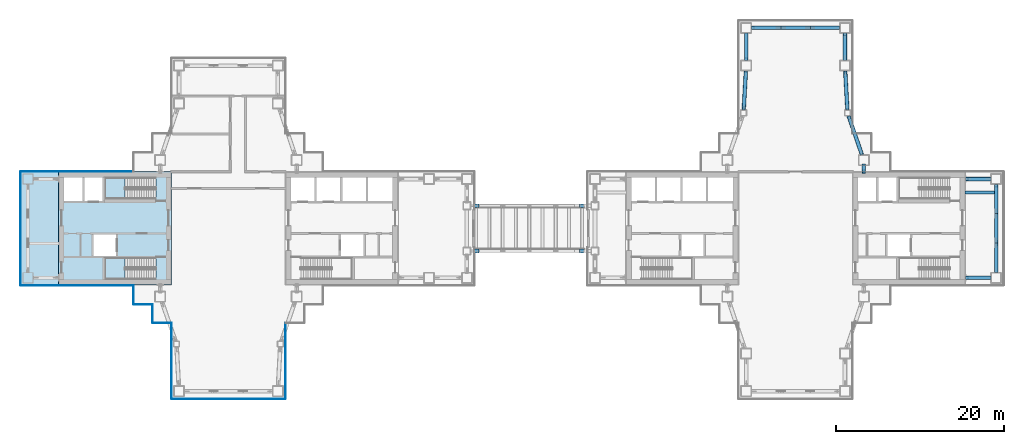
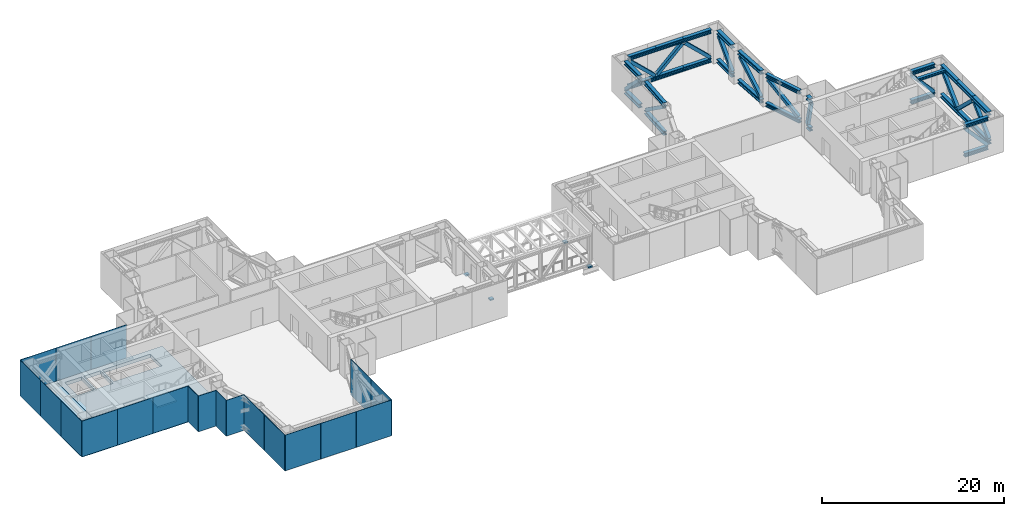
# One storey, part 7 of 21: 46 members, 20 plates, 4 slabs, 1 beam, 11 elements without a shape of their own.
"""IFC4 building model written with IfcOpenShell, lengths in metres."""

from ifc_helpers import new_model, si_unit, direction, frame, origin, origin_2d, place, context, subcontext, project, spatial, polyline, rectangle, hollow_rectangle, i_section, outline, extrude, material, layer, layer_set, material_profile, profile_set, type_object, element, aggregate, save


model = new_model("IFC4")

# Units and contexts
model_context = context("Model", 3, precision=1e-05, world=origin(), true_north=direction((0.0, 1.0)))
body_context = subcontext(model_context, "Body", "Model", "MODEL_VIEW")
ifc_project = project(units=[si_unit("LENGTHUNIT", "METRE"), si_unit("AREAUNIT", "SQUARE_METRE"), si_unit("VOLUMEUNIT", "CUBIC_METRE"), si_unit("PLANEANGLEUNIT", "RADIAN"), si_unit("MASSUNIT", "GRAM", prefix="KILO")], contexts=[model_context])

# Site, building, storey
site_placement = place(None, origin())
site = spatial("IfcSite", under=ifc_project, at=site_placement, CompositionType="ELEMENT")
building_placement = place(site_placement, origin())
building = spatial("IfcBuilding", under=site, at=building_placement, Name="Shamsa Quay Exchange Towers", CompositionType="ELEMENT")
storey_placement = place(building_placement, frame((0.0, 0.0, 128.699951171875)))
storey = spatial("IfcBuildingStorey", under=building, at=storey_placement, Name="L30", CompositionType="ELEMENT", Elevation=128.699951171875)

# Members
ifc_material_1 = material(Name="Steel S355", Category="steel")
ifc_material_profile_1 = material_profile(ifc_material_1, i_section(OverallWidth=0.4423828125, OverallDepth=0.531494140625, WebThickness=0.06591796875, FlangeThickness=0.105712890625, at=origin_2d()), Name="W14x605")
ifc_profile_set_1 = profile_set([ifc_material_profile_1], Name="Steel S355")
member_type_1 = type_object("IfcMemberType", Name="Belt chord W14x605", PredefinedType="CHORD", material=ifc_profile_set_1)
for number, where, z_axis, x_axis, name in (
    (1, (57.625, -5.25, 4.13427734375), (0.0, 1.0, 0.0), (-1.0, 0.0, 0.0), "Belt truss chord T2 L30 10"),
    (2, (57.625, -5.25, 0.265869140625), (0.0, 1.0, 0.0), (-1.0, 0.0, 0.0), "Belt truss chord T2 L30 10"),
    (3, (57.625, -1.75, 4.13427734375), (0.0, 1.0, 0.0), (-1.0, 0.0, 0.0), "Belt truss chord T2 L30 10"),
    (4, (57.625, -1.75, 0.265869140625), (0.0, 1.0, 0.0), (-1.0, 0.0, 0.0), "Belt truss chord T2 L30 10"),
    (5, (57.625, 1.75, 4.13427734375), (0.0, 1.0, 0.0), (-1.0, 0.0, 0.0), "Belt truss chord T2 L30 10"),
    (6, (57.625, 1.75, 0.265869140625), (0.0, 1.0, 0.0), (-1.0, 0.0, 0.0), "Belt truss chord T2 L30 10"),
):
    element("IfcMember", number, at=place(storey_placement, frame(where, z_axis=z_axis, x_axis=x_axis)), inside=storey, type_object=member_type_1, Name=name, PredefinedType="CHORD", context=body_context, shape_type="SweptSolid", body=[
        extrude(i_section(OverallWidth=0.4423828125, OverallDepth=0.531494140625, WebThickness=0.06591796875, FlangeThickness=0.105712890625, at=origin_2d()), origin(), (0.0, 0.0, 1.0), 3.5),
    ])
for number, where, z_axis, x_axis, name in (
    (7, (41.65966796875, 8.75, 4.13427734375), (-0.325654086192, 0.945488982562, 0.0), (-0.945488982562, -0.325654086192, 0.0), "Belt truss chord T2 L30 13"),
    (8, (41.65966796875, 8.75, 0.265869140625), (-0.325654086192, 0.945488982562, 0.0), (-0.945488982562, -0.325654086192, 0.0), "Belt truss chord T2 L30 13"),
):
    element("IfcMember", number, at=place(storey_placement, frame(where, z_axis=z_axis, x_axis=x_axis)), inside=storey, type_object=member_type_1, Name=name, PredefinedType="CHORD", context=body_context, shape_type="SweptSolid", body=[
        extrude(i_section(OverallWidth=0.4423828125, OverallDepth=0.531494140625, WebThickness=0.06591796875, FlangeThickness=0.105712890625, at=origin_2d()), origin(), (0.0, 0.0, 1.0), 4.91796875),
    ])
for number, where, z_axis, x_axis, name in (
    (9, (39.91796875, 14.10009765625, 4.13427734375), (-0.055464212695, 0.998460675796, 0.0), (-0.998460675796, -0.055464212695, 0.0), "Belt truss chord T2 L30 14"),
    (10, (39.91796875, 14.10009765625, 0.265869140625), (-0.055464212695, 0.998460675796, 0.0), (-0.998460675796, -0.055464212695, 0.0), "Belt truss chord T2 L30 14"),
):
    element("IfcMember", number, at=place(storey_placement, frame(where, z_axis=z_axis, x_axis=x_axis)), inside=storey, type_object=member_type_1, Name=name, PredefinedType="CHORD", context=body_context, shape_type="SweptSolid", body=[
        extrude(i_section(OverallWidth=0.4423828125, OverallDepth=0.531494140625, WebThickness=0.06591796875, FlangeThickness=0.105712890625, at=origin_2d()), origin(), (0.0, 0.0, 1.0), 4.656982421875),
    ])
for number, where, z_axis, x_axis, name in (
    (11, (39.625, 20.0, 4.13427734375), (0.0, 1.0, 0.0), (-1.0, 0.0, 0.0), "Belt truss chord T2 L30 15"),
    (12, (39.625, 20.0, 0.265869140625), (0.0, 1.0, 0.0), (-1.0, 0.0, 0.0), "Belt truss chord T2 L30 15"),
):
    element("IfcMember", number, at=place(storey_placement, frame(where, z_axis=z_axis, x_axis=x_axis)), inside=storey, type_object=member_type_1, Name=name, PredefinedType="CHORD", context=body_context, shape_type="SweptSolid", body=[
        extrude(i_section(OverallWidth=0.4423828125, OverallDepth=0.531494140625, WebThickness=0.06591796875, FlangeThickness=0.105712890625, at=origin_2d()), origin(), (0.0, 0.0, 1.0), 3.25),
    ])
for number, where, z_axis, x_axis, name in (
    (13, (39.0, 23.875, 4.13427734375), (-1.0, 0.0, 0.0), (0.0, -1.0, 0.0), "Belt truss chord T2 L30 16"),
    (14, (39.0, 23.875, 0.265869140625), (-1.0, 0.0, 0.0), (0.0, -1.0, 0.0), "Belt truss chord T2 L30 16"),
    (15, (35.5, 23.875, 4.13427734375), (-1.0, 0.0, 0.0), (0.0, -1.0, 0.0), "Belt truss chord T2 L30 16"),
    (16, (35.5, 23.875, 0.265869140625), (-1.0, 0.0, 0.0), (0.0, -1.0, 0.0), "Belt truss chord T2 L30 16"),
    (17, (32.0, 23.875, 4.13427734375), (-1.0, 0.0, 0.0), (0.0, -1.0, 0.0), "Belt truss chord T2 L30 16"),
    (18, (32.0, 23.875, 0.265869140625), (-1.0, 0.0, 0.0), (0.0, -1.0, 0.0), "Belt truss chord T2 L30 16"),
):
    element("IfcMember", number, at=place(storey_placement, frame(where, z_axis=z_axis, x_axis=x_axis)), inside=storey, type_object=member_type_1, Name=name, PredefinedType="CHORD", context=body_context, shape_type="SweptSolid", body=[
        extrude(i_section(OverallWidth=0.4423828125, OverallDepth=0.531494140625, WebThickness=0.06591796875, FlangeThickness=0.105712890625, at=origin_2d()), origin(), (0.0, 0.0, 1.0), 3.5),
    ])
for number, where, z_axis, x_axis, name in (
    (19, (27.875, 23.25, 4.13427734375), (0.0, -1.0, 0.0), (1.0, 0.0, 0.0), "Belt truss chord T2 L30 17"),
    (20, (27.875, 23.25, 0.265869140625), (0.0, -1.0, 0.0), (1.0, 0.0, 0.0), "Belt truss chord T2 L30 17"),
):
    element("IfcMember", number, at=place(storey_placement, frame(where, z_axis=z_axis, x_axis=x_axis)), inside=storey, type_object=member_type_1, Name=name, PredefinedType="CHORD", context=body_context, shape_type="SweptSolid", body=[
        extrude(i_section(OverallWidth=0.4423828125, OverallDepth=0.531494140625, WebThickness=0.06591796875, FlangeThickness=0.105712890625, at=origin_2d()), origin(), (0.0, 0.0, 1.0), 3.25),
    ])
for number, where, z_axis, x_axis, name in (
    (21, (27.84033203125, 18.75, 4.13427734375), (-0.055464212695, -0.998460675796, 0.0), (0.998460675796, -0.055464212695, 0.0), "Belt truss chord T2 L30 18"),
    (22, (27.84033203125, 18.75, 0.265869140625), (-0.055464212695, -0.998460675796, 0.0), (0.998460675796, -0.055464212695, 0.0), "Belt truss chord T2 L30 18"),
):
    element("IfcMember", number, at=place(storey_placement, frame(where, z_axis=z_axis, x_axis=x_axis)), inside=storey, type_object=member_type_1, Name=name, PredefinedType="CHORD", context=body_context, shape_type="SweptSolid", body=[
        extrude(i_section(OverallWidth=0.4423828125, OverallDepth=0.531494140625, WebThickness=0.06591796875, FlangeThickness=0.105712890625, at=origin_2d()), origin(), (0.0, 0.0, 1.0), 4.656982421875),
    ])
ifc_material_profile_2 = material_profile(ifc_material_1, hollow_rectangle(XDim=0.406494140625, YDim=0.406494140625, WallThickness=0.01904296875, at=origin_2d()), Name="HSS16x16x3/4")
ifc_profile_set_2 = profile_set([ifc_material_profile_2], Name="Steel S355")
member_type_2 = type_object("IfcMemberType", Name="Belt diagonal HSS16x16x3/4", PredefinedType="BRACE", material=ifc_profile_set_2)
for number, where, z_axis, x_axis, name in (
    (23, (57.625, -5.095703125, 0.678466796875), (0.0, 0.723709894071, 0.690104332129), (-1.0, 0.0, 0.0), "Belt truss diagonal T2 L30 10"),
    (24, (57.625, 1.595703125, 0.678466796875), (0.0, -0.723709894071, 0.690104332129), (1.0, 0.0, 0.0), "Belt truss diagonal T2 L30 10"),
    (25, (57.625, 1.904296875, 0.678466796875), (0.0, 0.723709894071, 0.690104332129), (-1.0, 0.0, 0.0), "Belt truss diagonal T2 L30 10"),
):
    element("IfcMember", number, at=place(storey_placement, frame(where, z_axis=z_axis, x_axis=x_axis)), inside=storey, type_object=member_type_2, Name=name, PredefinedType="BRACE", context=body_context, shape_type="SweptSolid", body=[
        extrude(hollow_rectangle(XDim=0.406494140625, YDim=0.406494140625, WallThickness=0.01904296875, at=origin_2d()), origin(), (0.0, 0.0, 1.0), 4.40966796875),
    ])
member_1_placement = place(storey_placement, frame((41.5791015625, 8.984375, 0.69970703125), z_axis=(-0.269518016757, 0.782378825932, 0.561465414231), x_axis=(-0.945472667652, -0.325701450292, 0.0)))
element("IfcMember", 26, at=member_1_placement, inside=storey, type_object=member_type_2, Name="Belt truss diagonal T2 L30 13", PredefinedType="BRACE", context=body_context, shape_type="SweptSolid", body=[
    extrude(hollow_rectangle(XDim=0.406494140625, YDim=0.406494140625, WallThickness=0.01904296875, at=origin_2d()), origin(), (0.0, 0.0, 1.0), 5.344482421875),
])
member_2_placement = place(storey_placement, frame((39.9052734375, 14.330078125, 0.696533203125), z_axis=(-0.04507071606, 0.811603943665, 0.582466882476), x_axis=(-0.998461606102, -0.055447462888, 0.0)))
element("IfcMember", 27, at=member_2_placement, inside=storey, type_object=member_type_2, Name="Belt truss diagonal T2 L30 14", PredefinedType="BRACE", context=body_context, shape_type="SweptSolid", body=[
    extrude(hollow_rectangle(XDim=0.406494140625, YDim=0.406494140625, WallThickness=0.01904296875, at=origin_2d()), origin(), (0.0, 0.0, 1.0), 5.162353515625),
])
member_3_placement = place(storey_placement, frame((39.625, 20.13818359375, 0.67333984375), z_axis=(0.0, 0.69767935738, 0.716410157861), x_axis=(-1.0, 0.0, 0.0)))
element("IfcMember", 28, at=member_3_placement, inside=storey, type_object=member_type_2, Name="Belt truss diagonal T2 L30 15", PredefinedType="BRACE", context=body_context, shape_type="SweptSolid", body=[
    extrude(hollow_rectangle(XDim=0.406494140625, YDim=0.406494140625, WallThickness=0.01904296875, at=origin_2d()), origin(), (0.0, 0.0, 1.0), 4.26220703125),
])
for number, where, z_axis, x_axis, name in (
    (29, (38.845703125, 23.875, 0.678466796875), (-0.723709894071, 0.0, 0.690104332129), (0.0, -1.0, 0.0), "Belt truss diagonal T2 L30 16"),
    (30, (32.154296875, 23.875, 0.678466796875), (0.723709894071, 0.0, 0.690104332129), (0.0, 1.0, 0.0), "Belt truss diagonal T2 L30 16"),
    (31, (31.845703125, 23.875, 0.678466796875), (-0.723709894071, 0.0, 0.690104332129), (0.0, -1.0, 0.0), "Belt truss diagonal T2 L30 16"),
):
    element("IfcMember", number, at=place(storey_placement, frame(where, z_axis=z_axis, x_axis=x_axis)), inside=storey, type_object=member_type_2, Name=name, PredefinedType="BRACE", context=body_context, shape_type="SweptSolid", body=[
        extrude(hollow_rectangle(XDim=0.406494140625, YDim=0.406494140625, WallThickness=0.01904296875, at=origin_2d()), origin(), (0.0, 0.0, 1.0), 4.40966796875),
    ])
member_4_placement = place(storey_placement, frame((27.875, 23.11181640625, 0.67333984375), z_axis=(0.0, -0.69767935738, 0.716410157861), x_axis=(1.0, 0.0, 0.0)))
element("IfcMember", 32, at=member_4_placement, inside=storey, type_object=member_type_2, Name="Belt truss diagonal T2 L30 17", PredefinedType="BRACE", context=body_context, shape_type="SweptSolid", body=[
    extrude(hollow_rectangle(XDim=0.406494140625, YDim=0.406494140625, WallThickness=0.01904296875, at=origin_2d()), origin(), (0.0, 0.0, 1.0), 4.26220703125),
])
member_5_placement = place(storey_placement, frame((27.827392578125, 18.519775390625, 0.696533203125), z_axis=(-0.04507071606, -0.811603943665, 0.582466882476), x_axis=(0.998461606102, -0.055447462888, 0.0)))
element("IfcMember", 33, at=member_5_placement, inside=storey, type_object=member_type_2, Name="Belt truss diagonal T2 L30 18", PredefinedType="BRACE", context=body_context, shape_type="SweptSolid", body=[
    extrude(hollow_rectangle(XDim=0.406494140625, YDim=0.406494140625, WallThickness=0.01904296875, at=origin_2d()), origin(), (0.0, 0.0, 1.0), 5.162353515625),
])

# Beam
ifc_material_profile_3 = material_profile(ifc_material_1, i_section(OverallWidth=0.368896484375, OverallDepth=0.356201171875, WebThickness=0.01123046875, FlangeThickness=0.01806640625, at=origin_2d()), Name="W14x90")
ifc_profile_set_3 = profile_set([ifc_material_profile_3], Name="Steel S355")
beam_type = type_object("IfcBeamType", Name="End-zone beam W14x90", PredefinedType="BEAM", material=ifc_profile_set_3)
beam_placement = place(storey_placement, frame((53.89990234375, 4.27490234375, 4.221923828125), z_axis=(1.0, 0.0, 0.0), x_axis=(0.0, 1.0, 0.0)))
element("IfcBeam", 34, at=beam_placement, inside=storey, type_object=beam_type, Name="Spine beam T2 V- end zone L30", PredefinedType="BEAM", context=body_context, shape_type="SweptSolid", body=[
    extrude(i_section(OverallWidth=0.368896484375, OverallDepth=0.356201171875, WebThickness=0.01123046875, FlangeThickness=0.01806640625, at=origin_2d()), origin(), (0.0, 0.0, 1.0), 3.50390625),
])

# Members
ifc_material_profile_4 = material_profile(ifc_material_1, i_section(OverallWidth=0.4423828125, OverallDepth=0.531494140625, WebThickness=0.06591796875, FlangeThickness=0.105712890625, at=origin_2d()), Name="W14x605")
ifc_profile_set_4 = profile_set([ifc_material_profile_4], Name="Steel S355")
member_type_3 = type_object("IfcMemberType", Name="Outrigger chord W14x605", PredefinedType="CHORD", material=ifc_profile_set_4)
for number, where, z_axis, x_axis, name in (
    (35, (57.0, -5.875, 4.13427734375), (-1.0, 0.0, 0.0), (0.0, -1.0, 0.0), "Outrigger truss chord T2 L30 9"),
    (36, (57.0, -5.875, 0.265869140625), (-1.0, 0.0, 0.0), (0.0, -1.0, 0.0), "Outrigger truss chord T2 L30 9"),
    (37, (57.0, 5.875, 4.13427734375), (-1.0, 0.0, 0.0), (0.0, -1.0, 0.0), "Outrigger truss chord T2 L30 11"),
    (38, (57.0, 5.875, 0.265869140625), (-1.0, 0.0, 0.0), (0.0, -1.0, 0.0), "Outrigger truss chord T2 L30 11"),
):
    element("IfcMember", number, at=place(storey_placement, frame(where, z_axis=z_axis, x_axis=x_axis)), inside=storey, type_object=member_type_3, Name=name, PredefinedType="CHORD", context=body_context, shape_type="SweptSolid", body=[
        extrude(i_section(OverallWidth=0.4423828125, OverallDepth=0.531494140625, WebThickness=0.06591796875, FlangeThickness=0.105712890625, at=origin_2d()), origin(), (0.0, 0.0, 1.0), 3.0),
    ])
for number, where, z_axis, x_axis, name in (
    (39, (41.875, 7.5, 4.13427734375), (0.0, -1.0, 0.0), (1.0, 0.0, 0.0), "Outrigger truss chord T2 L30 12"),
    (40, (41.875, 7.5, 0.265869140625), (0.0, -1.0, 0.0), (1.0, 0.0, 0.0), "Outrigger truss chord T2 L30 12"),
):
    element("IfcMember", number, at=place(storey_placement, frame(where, z_axis=z_axis, x_axis=x_axis)), inside=storey, type_object=member_type_3, Name=name, PredefinedType="CHORD", context=body_context, shape_type="SweptSolid", body=[
        extrude(i_section(OverallWidth=0.4423828125, OverallDepth=0.531494140625, WebThickness=0.06591796875, FlangeThickness=0.105712890625, at=origin_2d()), origin(), (0.0, 0.0, 1.0), 0.75),
    ])
ifc_material_profile_5 = material_profile(ifc_material_1, hollow_rectangle(XDim=0.406494140625, YDim=0.406494140625, WallThickness=0.01904296875, at=origin_2d()), Name="HSS16x16x3/4")
ifc_profile_set_5 = profile_set([ifc_material_profile_5], Name="Steel S355")
member_type_4 = type_object("IfcMemberType", Name="Outrigger diagonal HSS16x16x3/4", PredefinedType="BRACE", material=ifc_profile_set_5)
for number, where, z_axis, x_axis, name in (
    (41, (56.8779296875, -5.875, 0.667236328125), (-0.668529429281, 0.0, 0.743685687764), (0.0, -1.0, 0.0), "Outrigger truss diagonal T2 L30 9"),
    (42, (56.8779296875, 5.875, 0.667236328125), (-0.668529429281, 0.0, 0.743685687764), (0.0, -1.0, 0.0), "Outrigger truss diagonal T2 L30 11"),
):
    element("IfcMember", number, at=place(storey_placement, frame(where, z_axis=z_axis, x_axis=x_axis)), inside=storey, type_object=member_type_4, Name=name, PredefinedType="BRACE", context=body_context, shape_type="SweptSolid", body=[
        extrude(hollow_rectangle(XDim=0.406494140625, YDim=0.406494140625, WallThickness=0.01904296875, at=origin_2d()), origin(), (0.0, 0.0, 1.0), 4.122314453125),
    ])
member_6_placement = place(storey_placement, frame((41.875, 7.489990234375, 0.575927734375), z_axis=(0.0, -0.219274860702, 0.975663126014), x_axis=(1.0, 0.0, 0.0)))
element("IfcMember", 43, at=member_6_placement, inside=storey, type_object=member_type_4, Name="Outrigger truss diagonal T2 L30 12", PredefinedType="BRACE", context=body_context, shape_type="SweptSolid", body=[
    extrude(hollow_rectangle(XDim=0.406494140625, YDim=0.406494140625, WallThickness=0.01904296875, at=origin_2d()), origin(), (0.0, 0.0, 1.0), 3.3291015625),
])
ifc_material_profile_6 = material_profile(ifc_material_1, rectangle(XDim=0.5, YDim=0.199951171875, at=origin_2d()), Name="500x200")
ifc_profile_set_6 = profile_set([ifc_material_profile_6], Name="Steel S355")
member_type_5 = type_object("IfcMemberType", Name="PTFE sliding bearing", PredefinedType="USERDEFINED", material=ifc_profile_set_6)
for number, where, name in (
    (44, (8.300048828125, -2.699951171875, -0.7177734375), "Sliding bearing BR2 T2 S"),
    (45, (8.300048828125, 2.699951171875, -0.7177734375), "Sliding bearing BR2 T2 N"),
):
    element("IfcMember", number, at=place(storey_placement, frame(where)), inside=storey, type_object=member_type_5, Name=name, ObjectType="BEARING", PredefinedType="USERDEFINED", context=body_context, shape_type="SweptSolid", body=[
        extrude(rectangle(XDim=0.5, YDim=0.449951171875, at=origin_2d()), origin(), (0.0, 0.0, 1.0), 0.199951171875),
    ])
ifc_material_profile_7 = material_profile(ifc_material_1, rectangle(XDim=0.5, YDim=0.199951171875, at=origin_2d()), Name="500x200")
ifc_profile_set_7 = profile_set([ifc_material_profile_7], Name="Steel S355")
member_type_6 = type_object("IfcMemberType", Name="Pot bearing, fixed", PredefinedType="USERDEFINED", material=ifc_profile_set_7)
for number, where, name in (
    (46, (-4.199951171875, -2.699951171875, -0.7177734375), "Fixed bearing BR2 T1 S"),
    (47, (-4.199951171875, 2.699951171875, -0.7177734375), "Fixed bearing BR2 T1 N"),
):
    element("IfcMember", number, at=place(storey_placement, frame(where)), inside=storey, type_object=member_type_6, Name=name, ObjectType="BEARING", PredefinedType="USERDEFINED", context=body_context, shape_type="SweptSolid", body=[
        extrude(rectangle(XDim=0.5, YDim=0.449951171875, at=origin_2d()), origin(), (0.0, 0.0, 1.0), 0.199951171875),
    ])

# Slab
ifc_material_2 = material(Name="Concrete C50/60", Category="concrete")
ifc_layer_1 = layer(ifc_material_2, 0.449951171875)
ifc_layer_set_1 = layer_set([ifc_layer_1], Name="CORE FLOOR 450 C50/60")
slab_type_1 = type_object("IfcSlabType", Name="CORE FLOOR 450 C50/60", PredefinedType="FLOOR", material=ifc_layer_set_1)
slab_1_placement = place(storey_placement, frame((0.0, 0.0, -0.449951171875)))
element("IfcSlab", 48, at=slab_1_placement, inside=storey, type_object=slab_type_1, Name="Core floor T1B", PredefinedType="FLOOR", context=body_context, shape_type="SweptSolid", body=[
    extrude(outline(polyline([(-40.5, -6.75), (-40.5, 6.75), (-54.0, 6.75), (-54.0, -6.75), (-40.5, -6.75)]), holes=[polyline([(-42.400634765625, -3.5), (-42.400634765625, -6.050048828125), (-48.5, -6.050048828125), (-48.5, -3.5), (-42.400634765625, -3.5)]), polyline([(-42.400634765625, 6.050048828125), (-42.400634765625, 3.5), (-48.5, 3.5), (-48.5, 6.050048828125), (-42.400634765625, 6.050048828125)]), polyline([(-48.75, 3.25), (-50.89990234375, 3.25), (-50.89990234375, 6.050048828125), (-48.75, 6.050048828125), (-48.75, 3.25)]), polyline([(-51.14990234375, 3.25), (-53.300048828125, 3.25), (-53.300048828125, 6.050048828125), (-51.14990234375, 6.050048828125), (-51.14990234375, 3.25)]), polyline([(-47.14990234375, -3.25), (-49.800048828125, -3.25), (-49.800048828125, -0.75), (-47.14990234375, -0.75), (-47.14990234375, -3.25)])]), origin(), (0.0, 0.0, 1.0), 0.449951171875),
])

# Stair, slab
ifc_material_3 = material(Name="Concrete C40/50", Category="concrete")
stair_type = type_object("IfcStairType", Name="EXIT STAIR 28 RISERS 171 MM", PredefinedType="HALF_TURN_STAIR", material=ifc_material_3)
stair_1_placement = place(storey_placement, origin())
stair_1 = element("IfcStair", 49, at=stair_1_placement, inside=storey, type_object=stair_type, Name="L30 Exit stair ST2", PredefinedType="HALF_TURN_STAIR")
ifc_layer_2 = layer(ifc_material_3, 0.199951171875)
ifc_layer_set_2 = layer_set([ifc_layer_2], Name="CORE STAIR LANDING")
slab_type_2 = type_object("IfcSlabType", Name="CORE STAIR LANDING", PredefinedType="LANDING", material=ifc_layer_set_2)
slab_2_placement = place(storey_placement, frame((0.0, 0.0, 2.199951171875)))
slab_2 = element("IfcSlab", 50, at=slab_2_placement, type_object=slab_type_2, Name="ST2 landing 1", PredefinedType="LANDING", context=body_context, shape_type="SweptSolid", body=[
    extrude(outline(polyline([(-46.0400390625, -3.5), (-48.5, -3.5), (-48.5, -6.050048828125), (-46.0400390625, -6.050048828125), (-46.0400390625, -3.5)])), origin(), (0.0, 0.0, 1.0), 0.2001953125),
])
aggregate(stair_1, [slab_2])

stair_2_placement = place(storey_placement, origin())
stair_2 = element("IfcStair", 51, at=stair_2_placement, inside=storey, type_object=stair_type, Name="L30 Exit stair ST3", PredefinedType="HALF_TURN_STAIR")
slab_3_placement = place(storey_placement, frame((0.0, 0.0, 2.199951171875)))
slab_3 = element("IfcSlab", 52, at=slab_3_placement, type_object=slab_type_2, Name="ST3 landing 1", PredefinedType="LANDING", context=body_context, shape_type="SweptSolid", body=[
    extrude(outline(polyline([(-46.0400390625, 6.050048828125), (-48.5, 6.050048828125), (-48.5, 3.5), (-46.0400390625, 3.5), (-46.0400390625, 6.050048828125)])), origin(), (0.0, 0.0, 1.0), 0.2001953125),
])
aggregate(stair_2, [slab_3])

# Curtain wall, plates
ifc_material_4 = material(Name="Aluminium EN AW-6063 T6, black anodised", Category="aluminium")
ifc_layer_3 = layer(ifc_material_4, 0.320068359375)
ifc_layer_set_3 = layer_set([ifc_layer_3], Name="CW-7 BELT-LEVEL LOUVRE PANEL WALL")
curtain_wall_type = type_object("IfcCurtainWallType", Name="CW-7 BELT-LEVEL LOUVRE PANEL WALL", PredefinedType="NOTDEFINED", material=ifc_layer_set_3)
curtain_wall_1_placement = place(storey_placement, origin())
curtain_wall_1 = element("IfcCurtainWall", 53, at=curtain_wall_1_placement, inside=storey, type_object=curtain_wall_type, Name="CW7 T1-FLK-V-W L30", PredefinedType="NOTDEFINED")
ifc_material_5 = material(Name="Aluminium louvre panel, black anodised, with insulated fire-rated backing", Category="aluminium")
ifc_layer_4 = layer(ifc_material_5, 0.06005859375)
ifc_layer_set_4 = layer_set([ifc_layer_4], Name="CW-7 LOUVRE PANEL 60")
plate_type = type_object("IfcPlateType", Name="CW-7 LOUVRE PANEL 60", PredefinedType="CURTAIN_PANEL", material=ifc_layer_set_4)
plate_1_placement = place(storey_placement, frame((-40.530029296875, -13.5439453125, -0.35009765625), z_axis=(0.0, 0.0, 1.0), x_axis=(0.0, -1.0, 0.0)))
plate_1 = element("IfcPlate", 54, at=plate_1_placement, type_object=plate_type, Name="CW7 glass panel", PredefinedType="CURTAIN_PANEL", context=body_context, shape_type="SweptSolid", body=[
    extrude(rectangle(XDim=4.464111328125, YDim=0.06005859375, at=origin_2d()), origin(), (0.0, 0.0, 1.0), 4.800048828125),
])
plate_2_placement = place(storey_placement, frame((-40.530029296875, -18.01806640625, -0.35009765625), z_axis=(0.0, 0.0, 1.0), x_axis=(0.0, -1.0, 0.0)))
plate_2 = element("IfcPlate", 55, at=plate_2_placement, type_object=plate_type, Name="CW7 glass panel", PredefinedType="CURTAIN_PANEL", context=body_context, shape_type="SweptSolid", body=[
    extrude(rectangle(XDim=4.464111328125, YDim=0.06005859375, at=origin_2d()), origin(), (0.0, 0.0, 1.0), 4.800048828125),
])
aggregate(curtain_wall_1, [plate_1, plate_2])

curtain_wall_2_placement = place(storey_placement, origin())
curtain_wall_2 = element("IfcCurtainWall", 56, at=curtain_wall_2_placement, inside=storey, type_object=curtain_wall_type, Name="CW7 T1-END-V- L30", PredefinedType="NOTDEFINED")
plate_3_placement = place(storey_placement, frame((-38.25244140625, -20.280029296875, -0.35009765625)))
plate_3 = element("IfcPlate", 57, at=plate_3_placement, type_object=plate_type, Name="CW7 glass panel", PredefinedType="CURTAIN_PANEL", context=body_context, shape_type="SweptSolid", body=[
    extrude(rectangle(XDim=4.4951171875, YDim=0.06005859375, at=origin_2d()), origin(), (0.0, 0.0, 1.0), 4.800048828125),
])
plate_4_placement = place(storey_placement, frame((-33.75, -20.280029296875, -0.35009765625)))
plate_4 = element("IfcPlate", 58, at=plate_4_placement, type_object=plate_type, Name="CW7 glass panel", PredefinedType="CURTAIN_PANEL", context=body_context, shape_type="SweptSolid", body=[
    extrude(rectangle(XDim=4.489990234375, YDim=0.06005859375, at=origin_2d()), origin(), (0.0, 0.0, 1.0), 4.800048828125),
])
plate_5_placement = place(storey_placement, frame((-29.24755859375, -20.280029296875, -0.35009765625)))
plate_5 = element("IfcPlate", 59, at=plate_5_placement, type_object=plate_type, Name="CW7 glass panel", PredefinedType="CURTAIN_PANEL", context=body_context, shape_type="SweptSolid", body=[
    extrude(rectangle(XDim=4.4951171875, YDim=0.06005859375, at=origin_2d()), origin(), (0.0, 0.0, 1.0), 4.800048828125),
])
aggregate(curtain_wall_2, [plate_3, plate_4, plate_5])

curtain_wall_3_placement = place(storey_placement, origin())
curtain_wall_3 = element("IfcCurtainWall", 60, at=curtain_wall_3_placement, inside=storey, type_object=curtain_wall_type, Name="CW7 T1-FLK-V-E L30", PredefinedType="NOTDEFINED")
plate_6_placement = place(storey_placement, frame((-26.969970703125, -18.00244140625, -0.35009765625), z_axis=(0.0, 0.0, 1.0), x_axis=(0.0, 1.0, 0.0)))
plate_6 = element("IfcPlate", 61, at=plate_6_placement, type_object=plate_type, Name="CW7 glass panel", PredefinedType="CURTAIN_PANEL", context=body_context, shape_type="SweptSolid", body=[
    extrude(rectangle(XDim=4.4951171875, YDim=0.06005859375, at=origin_2d()), origin(), (0.0, 0.0, 1.0), 4.800048828125),
])
plate_7_placement = place(storey_placement, frame((-26.969970703125, -13.49755859375, -0.35009765625), z_axis=(0.0, 0.0, 1.0), x_axis=(0.0, 1.0, 0.0)))
plate_7 = element("IfcPlate", 62, at=plate_7_placement, type_object=plate_type, Name="CW7 glass panel", PredefinedType="CURTAIN_PANEL", context=body_context, shape_type="SweptSolid", body=[
    extrude(rectangle(XDim=4.4951171875, YDim=0.06005859375, at=origin_2d()), origin(), (0.0, 0.0, 1.0), 4.800048828125),
])
aggregate(curtain_wall_3, [plate_6, plate_7])

curtain_wall_4_placement = place(storey_placement, origin())
curtain_wall_4 = element("IfcCurtainWall", 63, at=curtain_wall_4_placement, inside=storey, type_object=curtain_wall_type, Name="CW7 T1-FLK-U-N L30", PredefinedType="NOTDEFINED")
plate_8_placement = place(storey_placement, frame((-47.2939453125, 6.780029296875, -0.35009765625), z_axis=(0.0, 0.0, 1.0), x_axis=(-1.0, 0.0, 0.0)))
plate_8 = element("IfcPlate", 64, at=plate_8_placement, type_object=plate_type, Name="CW7 glass panel", PredefinedType="CURTAIN_PANEL", context=body_context, shape_type="SweptSolid", body=[
    extrude(rectangle(XDim=4.464111328125, YDim=0.06005859375, at=origin_2d()), origin(), (0.0, 0.0, 1.0), 4.800048828125),
])
plate_9_placement = place(storey_placement, frame((-51.76806640625, 6.780029296875, -0.35009765625), z_axis=(0.0, 0.0, 1.0), x_axis=(-1.0, 0.0, 0.0)))
plate_9 = element("IfcPlate", 65, at=plate_9_placement, type_object=plate_type, Name="CW7 glass panel", PredefinedType="CURTAIN_PANEL", context=body_context, shape_type="SweptSolid", body=[
    extrude(rectangle(XDim=4.464111328125, YDim=0.06005859375, at=origin_2d()), origin(), (0.0, 0.0, 1.0), 4.800048828125),
])
aggregate(curtain_wall_4, [plate_8, plate_9])

# Curtain wall, plate
curtain_wall_5_placement = place(storey_placement, origin())
curtain_wall_5 = element("IfcCurtainWall", 66, at=curtain_wall_5_placement, inside=storey, type_object=curtain_wall_type, Name="CW7 T1-FLK-U-N L30", PredefinedType="NOTDEFINED")
plate_10_placement = place(storey_placement, frame((-56.25, 6.780029296875, -0.35009765625), z_axis=(0.0, 0.0, 1.0), x_axis=(-1.0, 0.0, 0.0)))
plate_10 = element("IfcPlate", 67, at=plate_10_placement, type_object=plate_type, Name="CW7 glass panel", PredefinedType="CURTAIN_PANEL", context=body_context, shape_type="SweptSolid", body=[
    extrude(rectangle(XDim=4.5, YDim=0.06005859375, at=origin_2d()), origin(), (0.0, 0.0, 1.0), 4.800048828125),
])
aggregate(curtain_wall_5, [plate_10])

# Curtain wall, plates
curtain_wall_6_placement = place(storey_placement, origin())
curtain_wall_6 = element("IfcCurtainWall", 68, at=curtain_wall_6_placement, inside=storey, type_object=curtain_wall_type, Name="CW7 T1-END-U- L30", PredefinedType="NOTDEFINED")
plate_11_placement = place(storey_placement, frame((-58.530029296875, 4.50244140625, -0.35009765625), z_axis=(0.0, 0.0, 1.0), x_axis=(0.0, -1.0, 0.0)))
plate_11 = element("IfcPlate", 69, at=plate_11_placement, type_object=plate_type, Name="CW7 glass panel", PredefinedType="CURTAIN_PANEL", context=body_context, shape_type="SweptSolid", body=[
    extrude(rectangle(XDim=4.4951171875, YDim=0.06005859375, at=origin_2d()), origin(), (0.0, 0.0, 1.0), 4.800048828125),
])
plate_12_placement = place(storey_placement, frame((-58.530029296875, 0.0, -0.35009765625), z_axis=(0.0, 0.0, 1.0), x_axis=(0.0, -1.0, 0.0)))
plate_12 = element("IfcPlate", 70, at=plate_12_placement, type_object=plate_type, Name="CW7 glass panel", PredefinedType="CURTAIN_PANEL", context=body_context, shape_type="SweptSolid", body=[
    extrude(rectangle(XDim=4.489990234375, YDim=0.06005859375, at=origin_2d()), origin(), (0.0, 0.0, 1.0), 4.800048828125),
])
plate_13_placement = place(storey_placement, frame((-58.530029296875, -4.50244140625, -0.35009765625), z_axis=(0.0, 0.0, 1.0), x_axis=(0.0, -1.0, 0.0)))
plate_13 = element("IfcPlate", 71, at=plate_13_placement, type_object=plate_type, Name="CW7 glass panel", PredefinedType="CURTAIN_PANEL", context=body_context, shape_type="SweptSolid", body=[
    extrude(rectangle(XDim=4.4951171875, YDim=0.06005859375, at=origin_2d()), origin(), (0.0, 0.0, 1.0), 4.800048828125),
])
aggregate(curtain_wall_6, [plate_11, plate_12, plate_13])

# Curtain wall, plate
curtain_wall_7_placement = place(storey_placement, origin())
curtain_wall_7 = element("IfcCurtainWall", 72, at=curtain_wall_7_placement, inside=storey, type_object=curtain_wall_type, Name="CW7 T1-FLK-U-S L30", PredefinedType="NOTDEFINED")
plate_14_placement = place(storey_placement, frame((-56.25, -6.780029296875, -0.35009765625)))
plate_14 = element("IfcPlate", 73, at=plate_14_placement, type_object=plate_type, Name="CW7 glass panel", PredefinedType="CURTAIN_PANEL", context=body_context, shape_type="SweptSolid", body=[
    extrude(rectangle(XDim=4.5, YDim=0.06005859375, at=origin_2d()), origin(), (0.0, 0.0, 1.0), 4.800048828125),
])
aggregate(curtain_wall_7, [plate_14])

# Curtain wall, plates
curtain_wall_8_placement = place(storey_placement, origin())
curtain_wall_8 = element("IfcCurtainWall", 74, at=curtain_wall_8_placement, inside=storey, type_object=curtain_wall_type, Name="CW7 T1-FLK-U-S L30", PredefinedType="NOTDEFINED")
plate_15_placement = place(storey_placement, frame((-51.75244140625, -6.780029296875, -0.35009765625)))
plate_15 = element("IfcPlate", 75, at=plate_15_placement, type_object=plate_type, Name="CW7 glass panel", PredefinedType="CURTAIN_PANEL", context=body_context, shape_type="SweptSolid", body=[
    extrude(rectangle(XDim=4.4951171875, YDim=0.06005859375, at=origin_2d()), origin(), (0.0, 0.0, 1.0), 4.800048828125),
])
plate_16_placement = place(storey_placement, frame((-47.24755859375, -6.780029296875, -0.35009765625)))
plate_16 = element("IfcPlate", 76, at=plate_16_placement, type_object=plate_type, Name="CW7 glass panel", PredefinedType="CURTAIN_PANEL", context=body_context, shape_type="SweptSolid", body=[
    extrude(rectangle(XDim=4.4951171875, YDim=0.06005859375, at=origin_2d()), origin(), (0.0, 0.0, 1.0), 4.800048828125),
])
aggregate(curtain_wall_8, [plate_15, plate_16])

curtain_wall_9_placement = place(storey_placement, origin())
curtain_wall_9 = element("IfcCurtainWall", 77, at=curtain_wall_9_placement, inside=storey, type_object=curtain_wall_type, Name="CW7 PKWS L30", PredefinedType="NOTDEFINED")
plate_17_placement = place(storey_placement, frame((-42.780029296875, -10.156005859375, -0.35009765625), z_axis=(0.0, 0.0, 1.0), x_axis=(0.0, -1.0, 0.0)))
plate_17 = element("IfcPlate", 78, at=plate_17_placement, type_object=plate_type, Name="CW7 glass panel", PredefinedType="CURTAIN_PANEL", context=body_context, shape_type="SweptSolid", body=[
    extrude(rectangle(XDim=2.18798828125, YDim=0.06005859375, at=origin_2d()), origin(), (0.0, 0.0, 1.0), 4.800048828125),
])
plate_18_placement = place(storey_placement, frame((-41.625, -11.280029296875, -0.35009765625)))
plate_18 = element("IfcPlate", 79, at=plate_18_placement, type_object=plate_type, Name="CW7 glass panel", PredefinedType="CURTAIN_PANEL", context=body_context, shape_type="SweptSolid", body=[
    extrude(rectangle(XDim=2.25, YDim=0.06005859375, at=origin_2d()), origin(), (0.0, 0.0, 1.0), 4.800048828125),
])
plate_19_placement = place(storey_placement, frame((-45.030029296875, -7.906005859375, -0.35009765625), z_axis=(0.0, 0.0, 1.0), x_axis=(0.0, -1.0, 0.0)))
plate_19 = element("IfcPlate", 80, at=plate_19_placement, type_object=plate_type, Name="CW7 glass panel", PredefinedType="CURTAIN_PANEL", context=body_context, shape_type="SweptSolid", body=[
    extrude(rectangle(XDim=2.18798828125, YDim=0.06005859375, at=origin_2d()), origin(), (0.0, 0.0, 1.0), 4.800048828125),
])
plate_20_placement = place(storey_placement, frame((-43.875, -9.030029296875, -0.35009765625)))
plate_20 = element("IfcPlate", 81, at=plate_20_placement, type_object=plate_type, Name="CW7 glass panel", PredefinedType="CURTAIN_PANEL", context=body_context, shape_type="SweptSolid", body=[
    extrude(rectangle(XDim=2.25, YDim=0.06005859375, at=origin_2d()), origin(), (0.0, 0.0, 1.0), 4.800048828125),
])
aggregate(curtain_wall_9, [plate_17, plate_18, plate_19, plate_20])

# Slab
ifc_layer_5 = layer(ifc_material_3, 0.449951171875)
ifc_layer_set_5 = layer_set([ifc_layer_5], Name="Flat slab 450")
slab_type_3 = type_object("IfcSlabType", Name="Flat slab 450", PredefinedType="FLOOR", material=ifc_layer_set_5)
slab_4_placement = place(storey_placement, frame((0.0, 0.0, -0.449951171875)))
element("IfcSlab", 82, at=slab_4_placement, inside=storey, type_object=slab_type_3, Name="Flat slab T1 L30 1", PredefinedType="FLOOR", context=body_context, shape_type="SweptSolid", body=[
    extrude(outline(polyline([(-58.5, -6.75), (-54.0, -6.75), (-54.0, 6.75), (-58.5, 6.75), (-58.5, -6.75)])), origin(), (0.0, 0.0, 1.0), 0.449951171875),
])

save(model, "model.ifc")
